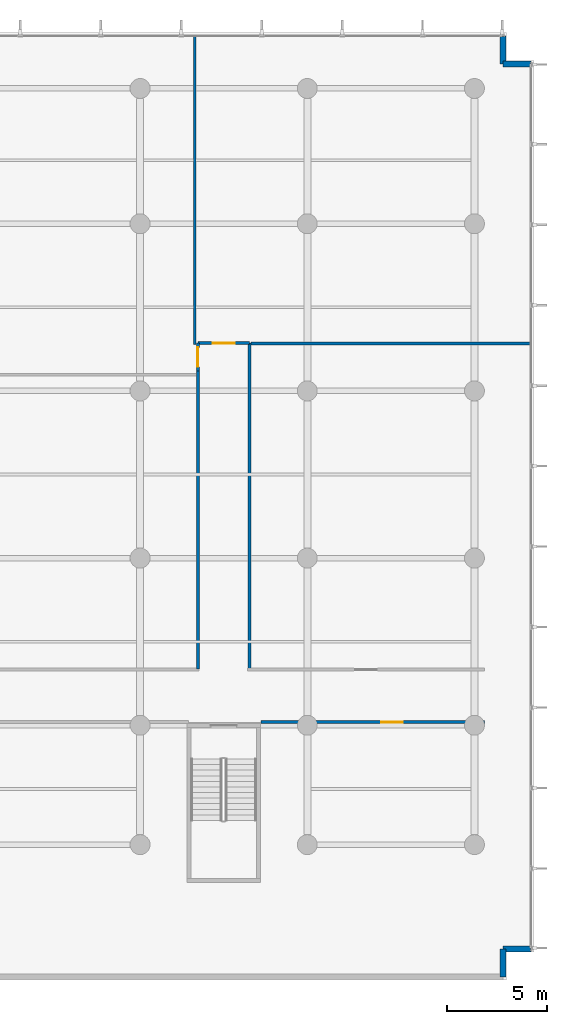
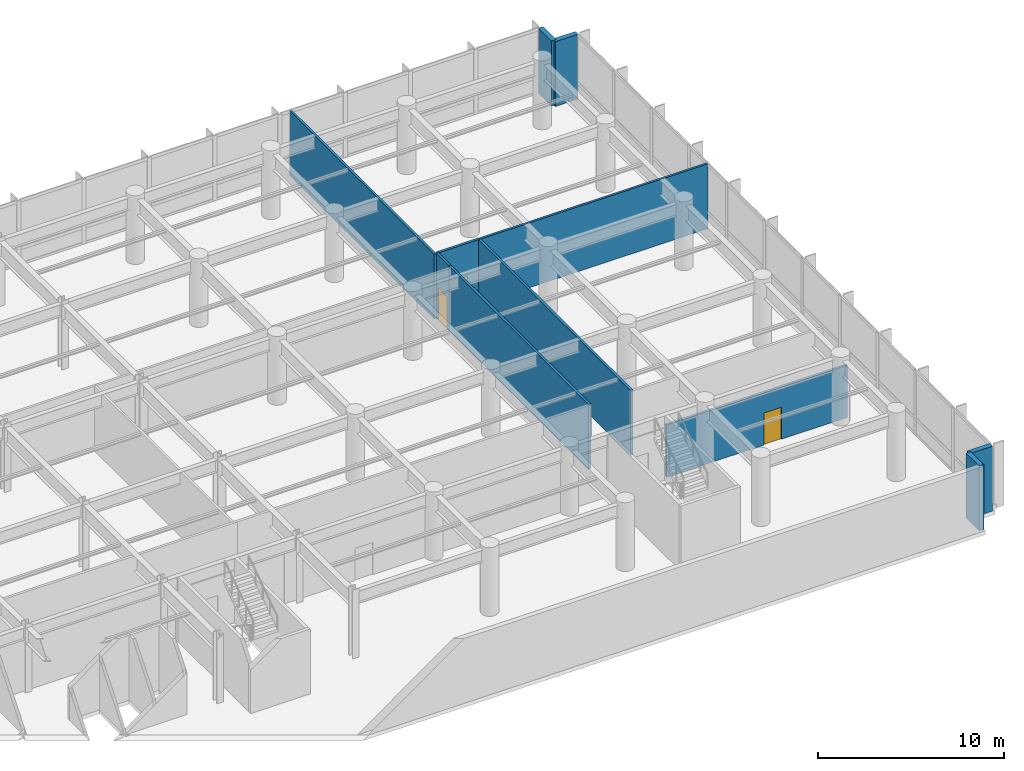
# One storey, part 18 of 26: 11 walls, 3 doors, 3 openings.
"""IFC4 building model written with IfcOpenShell, lengths in metres."""

import ifcopenshell
import ifcopenshell.guid

model = None  # the IFC model being written
_history = None  # IfcOwnerHistory: only IFC2X3 demands one
_inside = {}  # id of a spatial element -> (the spatial element, [elements in it])
_under = {}  # id of a project, library or spatial element -> (it, [spatial elements below it])
_declared = {}  # id of a project -> (the project, [libraries it declares])
_typed = {}  # id of a type object -> (the type object, [elements of that type])
_made_of = {}  # id of a material, layer set ... -> (it, [elements and type objects made of it])


def new_model(schema):
    """Start an empty IFC model of exactly this schema.

    Asked for "IFC4X3", IfcOpenShell would pick the latest addendum, in which some entities
    have other attributes; the version numbers below select the first issue.
    IFC2X3 requires an IfcOwnerHistory on every rooted entity: one is made here for all.
    """
    global model, _history
    if schema == "IFC4X3":
        model = ifcopenshell.file(schema_version=(4, 3, 0, 0))
    else:
        model = ifcopenshell.file(schema=schema)
    _inside.clear()
    _under.clear()
    _declared.clear()
    _typed.clear()
    _made_of.clear()
    _history = None
    if model.schema == "IFC2X3":
        org = make("IfcOrganization", Name="unknown")
        user = make(
            "IfcPersonAndOrganization",
            ThePerson=make("IfcPerson", FamilyName="unknown"),
            TheOrganization=org,
        )
        app = make(
            "IfcApplication",
            ApplicationDeveloper=org,
            Version="unknown",
            ApplicationFullName="unknown",
            ApplicationIdentifier="unknown",
        )
        _history = make(
            "IfcOwnerHistory",
            OwningUser=user,
            OwningApplication=app,
            ChangeAction="ADDED",
            CreationDate=0,
        )
    return model


def make(cls, **values):
    """One entity of the class cls with the attributes given. An attribute that is None is left unset."""
    return model.create_entity(
        cls, **{name: value for name, value in values.items() if value is not None}
    )


def rooted(cls, **values):
    """An entity with a GlobalId (a new one), such as an element, a storey or a relation."""
    return make(cls, GlobalId=ifcopenshell.guid.new(), OwnerHistory=_history, **values)


def si_unit(unit_type, name, prefix=None):
    """IfcSIUnit, for example si_unit("LENGTHUNIT", "METRE", prefix="MILLI")."""
    return make("IfcSIUnit", UnitType=unit_type, Prefix=prefix, Name=name)


def assignment(units):
    """IfcUnitAssignment: the units of a project."""
    return None if units is None else make("IfcUnitAssignment", Units=units)


def point(xyz):
    """IfcCartesianPoint."""
    return None if xyz is None else make("IfcCartesianPoint", Coordinates=xyz)


def direction(xyz):
    """IfcDirection."""
    return None if xyz is None else make("IfcDirection", DirectionRatios=xyz)


def frame(location, z_axis=None, x_axis=None):
    """IfcAxis2Placement3D, a coordinate frame: its origin and axes. An axis left out is left unset."""
    return make(
        "IfcAxis2Placement3D",
        Location=point(location),
        Axis=direction(z_axis),
        RefDirection=direction(x_axis),
    )


def frame_2d(location, x_axis=None):
    """IfcAxis2Placement2D, a coordinate frame in the plane: its origin and x axis."""
    return make(
        "IfcAxis2Placement2D", Location=point(location), RefDirection=direction(x_axis)
    )


def origin():
    """The frame at (0, 0, 0) with its axes left unset."""
    return frame((0.0, 0.0, 0.0))


def place(relative_to, where):
    """IfcLocalPlacement: puts the frame where relative to a parent placement (None: the world)."""
    return make(
        "IfcLocalPlacement", PlacementRelTo=relative_to, RelativePlacement=where
    )


def context(
    kind, dimensions, precision=None, world=None, true_north=None, identifier=None
):
    """IfcGeometricRepresentationContext, for example the 3D "Model" context."""
    return make(
        "IfcGeometricRepresentationContext",
        ContextIdentifier=identifier,
        ContextType=kind,
        CoordinateSpaceDimension=dimensions,
        Precision=precision,
        WorldCoordinateSystem=world,
        TrueNorth=true_north,
    )


def subcontext(parent, identifier, kind, view, scale=None):
    """IfcGeometricRepresentationSubContext, for example "Body" below "Model"."""
    return make(
        "IfcGeometricRepresentationSubContext",
        ContextIdentifier=identifier,
        ContextType=kind,
        ParentContext=parent,
        TargetScale=scale,
        TargetView=view,
    )


def project(units=None, contexts=None):
    """IfcProject with its units and contexts."""
    return rooted(
        "IfcProject",
        Name="project",
        RepresentationContexts=contexts,
        UnitsInContext=assignment(units),
    )


def spatial(cls, under=None, at=None, **own):
    """A site, building, storey or space (cls), placed at a placement, below another one or the project."""
    s = rooted(cls, ObjectPlacement=at, **own)
    if under is not None:
        _under.setdefault(under.id(), (under, []))[1].append(s)
    return s


def profile(cls, at=None, kind="AREA", **sizes):
    """A parametric profile (cls). Its sizes go by their IFC names, for example OverallWidth=200.0."""
    return make(cls, ProfileType=kind, Position=at, **sizes)


def rectangle(**sizes):
    """IfcRectangleProfileDef."""
    return profile("IfcRectangleProfileDef", **sizes)


def extrude(swept, where, along, depth):
    """IfcExtrudedAreaSolid: the profile swept, set in the frame where, extruded along a direction by depth."""
    return make(
        "IfcExtrudedAreaSolid",
        SweptArea=swept,
        Position=where,
        ExtrudedDirection=direction(along),
        Depth=depth,
    )


def shape(context_of_items, identifier, shape_type, items):
    """IfcShapeRepresentation: the items that make up one representation, for example the "Body"."""
    return make(
        "IfcShapeRepresentation",
        ContextOfItems=context_of_items,
        RepresentationIdentifier=identifier,
        RepresentationType=shape_type,
        Items=items,
    )


def material(Name=None, Category=None):
    """IfcMaterial."""
    return make("IfcMaterial", Name=Name, Category=Category)


def layer(
    of_material, thickness, ventilated=None, Name=None, Category=None, Priority=None
):
    """IfcMaterialLayer: one layer of a wall or slab, of a material (None: an air gap)."""
    return make(
        "IfcMaterialLayer",
        Material=of_material,
        LayerThickness=thickness,
        IsVentilated=ventilated,
        Name=Name,
        Category=Category,
        Priority=Priority,
    )


def layer_set(layers, Name=None):
    """IfcMaterialLayerSet."""
    return make("IfcMaterialLayerSet", MaterialLayers=layers, LayerSetName=Name)


def made_of(thing, what):
    """Note that an element or type object is made of a material, layer set ...; save() writes the relation."""
    if what is not None:
        _made_of.setdefault(what.id(), (what, []))[1].append(thing)
    return thing


def type_object(cls, material=None, **own):
    """A type object (cls), such as IfcWallType, which elements share."""
    return made_of(rooted(cls, **own), material)


def element(
    cls,
    number,
    at=None,
    inside=None,
    cuts=None,
    type_object=None,
    material=None,
    context=None,
    identifier="Body",
    shape_type=None,
    held_by="IfcProductDefinitionShape",
    body=None,
    shapes=None,
    **own,
):
    """One element of the class cls, such as IfcWall. Its Tag is "e" and its number.

    at: its placement. inside: the storey or other place that contains it. cuts: it is an
    opening in that element (IfcRelVoidsElement). A single representation is given by context,
    identifier, shape_type and body (its items); several are given by shapes. held_by: the class
    of the entity that holds the representations. save() writes the other relations.
    """
    e = rooted(cls, Tag="e%d" % number, ObjectPlacement=at, **own)
    if body is not None:
        shapes = [shape(context, identifier, shape_type, body)]
    if shapes is not None:
        e.Representation = make(held_by, Representations=shapes)
    if inside is not None:
        _inside.setdefault(inside.id(), (inside, []))[1].append(e)
    if cuts is not None:
        rooted(
            "IfcRelVoidsElement", RelatingBuildingElement=cuts, RelatedOpeningElement=e
        )
    if type_object is not None:
        _typed.setdefault(type_object.id(), (type_object, []))[1].append(e)
    return made_of(e, material)


def fill(opening, filler):
    """IfcRelFillsElement: the door or window that sits in an opening."""
    return rooted(
        "IfcRelFillsElement",
        RelatingOpeningElement=opening,
        RelatedBuildingElement=filler,
    )


def aggregate(whole, parts):
    """IfcRelAggregates: a whole, such as a stair, and the parts it consists of."""
    return rooted("IfcRelAggregates", RelatingObject=whole, RelatedObjects=parts)


def save(model, path):
    """Write the relations noted so far, then the file.

    IfcRelAggregates (storeys below a building ...), IfcRelContainedInSpatialStructure (elements
    in a storey), IfcRelDefinesByType, IfcRelAssociatesMaterial and IfcRelDeclares: one each for
    every whole, place, type object, material and project.
    """
    for whole, parts in _under.values():
        aggregate(whole, parts)
    for where, things in _inside.values():
        rooted(
            "IfcRelContainedInSpatialStructure",
            RelatedElements=things,
            RelatingStructure=where,
        )
    for kind, things in _typed.values():
        rooted("IfcRelDefinesByType", RelatedObjects=things, RelatingType=kind)
    for what, things in _made_of.values():
        rooted("IfcRelAssociatesMaterial", RelatedObjects=things, RelatingMaterial=what)
    for by, libraries in _declared.values():
        rooted("IfcRelDeclares", RelatingContext=by, RelatedDefinitions=libraries)
    model.write(path)


model = new_model("IFC4")

# Units and contexts
model_context = context("Model", 3, precision=1e-05, world=origin(), true_north=direction((0.0, 1.0)))
body_context = subcontext(model_context, "Body", "Model", "MODEL_VIEW")
ifc_project = project(units=[si_unit("LENGTHUNIT", "METRE"), si_unit("AREAUNIT", "SQUARE_METRE"), si_unit("VOLUMEUNIT", "CUBIC_METRE"), si_unit("PLANEANGLEUNIT", "RADIAN"), si_unit("MASSUNIT", "GRAM", prefix="KILO")], contexts=[model_context])

# Site, building, storey
site_placement = place(None, origin())
site = spatial("IfcSite", under=ifc_project, at=site_placement, CompositionType="ELEMENT")
building_placement = place(site_placement, origin())
building = spatial("IfcBuilding", under=site, at=building_placement, Name="Varnakote Quay Hospital", CompositionType="ELEMENT")
storey_placement = place(building_placement, frame((0.0, 0.0, 13.5)))
storey = spatial("IfcBuildingStorey", under=building, at=storey_placement, Name="L03", CompositionType="ELEMENT", Elevation=13.5)

# Walls
ifc_material_1 = material(Name="Precast concrete N50 (f'c 50 MPa)", Category="concrete")
ifc_layer_1 = layer(ifc_material_1, 0.300048828125)
ifc_layer_set_1 = layer_set([ifc_layer_1], Name="Precast concrete N50 (f'c 50 MPa)")
wall_type_1 = type_object("IfcWallType", Name="WL-EXT-BRICK-300", PredefinedType="STANDARD", material=ifc_layer_set_1)
wall_1_placement = place(storey_placement, frame((85.43994140625, -0.639892578125, 0.0), z_axis=(0.0, 0.0, 1.0), x_axis=(0.0, 1.0, 0.0)))
element("IfcWall", 1, at=wall_1_placement, inside=storey, type_object=wall_type_1, Name="L03 Brick-Faced Precast Exterior Wall", PredefinedType="STANDARD", context=body_context, shape_type="SweptSolid", body=[
    extrude(rectangle(XDim=1.39990234375, YDim=0.300048828125, at=frame_2d((0.699951171875, 0.0))), origin(), (0.0, 0.0, 1.0), 4.25),
])
for number, where, z_axis, x_axis, name in (
    (2, (85.43994140625, 0.760009765625, 0.0), (0.0, 0.0, 1.0), (1.0, 0.0, 0.0), "L03 Brick-Faced Precast Exterior Wall"),
    (3, (86.840087890625, 45.239990234375, 0.0), (0.0, 0.0, 1.0), (-1.0, 0.0, 0.0), "L03 Brick-Faced Precast Exterior Wall"),
):
    element("IfcWall", number, at=place(storey_placement, frame(where, z_axis=z_axis, x_axis=x_axis)), inside=storey, type_object=wall_type_1, Name=name, PredefinedType="STANDARD", context=body_context, shape_type="SweptSolid", body=[
        extrude(rectangle(XDim=1.400146484375, YDim=0.300048828125, at=frame_2d((0.7001953125, 0.0))), origin(), (0.0, 0.0, 1.0), 4.25),
    ])
wall_2_placement = place(storey_placement, frame((85.43994140625, 45.239990234375, 0.0), z_axis=(0.0, 0.0, 1.0), x_axis=(0.0, 1.0, 0.0)))
element("IfcWall", 4, at=wall_2_placement, inside=storey, type_object=wall_type_1, Name="L03 Brick-Faced Precast Exterior Wall", PredefinedType="STANDARD", context=body_context, shape_type="SweptSolid", body=[
    extrude(rectangle(XDim=1.39990234375, YDim=0.300048828125, at=frame_2d((0.699951171875, 0.0))), origin(), (0.0, 0.0, 1.0), 4.25),
])
ifc_material_2 = material(Name="Smoke-proof clinical partition", Category="gypsum")
ifc_layer_2 = layer(ifc_material_2, 0.135009765625)
ifc_layer_set_2 = layer_set([ifc_layer_2], Name="Smoke-proof clinical partition")
wall_type_2 = type_object("IfcWallType", Name="WL-SMOKE-135", PredefinedType="PARTITIONING", material=ifc_layer_set_2)
wall_3_placement = place(storey_placement, frame((86.840087890625, 31.179931640625, 0.0), z_axis=(0.0, 0.0, 1.0), x_axis=(-1.0, 0.0, 0.0)))
element("IfcWall", 5, at=wall_3_placement, inside=storey, type_object=wall_type_2, Name="L03 Clinical Interior Partition", PredefinedType="PARTITIONING", context=body_context, shape_type="SweptSolid", body=[
    extrude(rectangle(XDim=14.0751953125, YDim=0.135009765625, at=frame_2d((7.03759765625, 0.0))), origin(), (0.0, 0.0, 1.0), 4.25),
])
wall_4_placement = place(storey_placement, frame((69.949951171875, 31.1328125, 0.0), z_axis=(0.0, 0.0, 1.0), x_axis=(0.0, 1.0, 0.0)))
element("IfcWall", 6, at=wall_4_placement, inside=storey, type_object=wall_type_2, Name="L03 Clinical Interior Partition", PredefinedType="PARTITIONING", context=body_context, shape_type="SweptSolid", body=[
    extrude(rectangle(XDim=15.507080078125, YDim=0.135009765625, at=frame_2d((7.75341796875, 0.0))), origin(), (0.0, 0.0, 1.0), 4.25),
])

# Wall, opening, door
ifc_material_3 = material(Name="Fire-rated clinical gypsum partition", Category="gypsum")
ifc_layer_3 = layer(ifc_material_3, 0.14990234375)
ifc_layer_set_3 = layer_set([ifc_layer_3], Name="Fire-rated clinical gypsum partition")
wall_type_3 = type_object("IfcWallType", Name="WL-WARD-150", PredefinedType="PARTITIONING", material=ifc_layer_set_3)
wall_5_placement = place(storey_placement, frame((73.271484375, 12.159912109375, 0.0), z_axis=(0.0, 0.0, 1.0), x_axis=(1.0, 0.0, 0.0)))
wall_5 = element("IfcWall", 7, at=wall_5_placement, inside=storey, type_object=wall_type_3, Name="L03 Clinical Interior Partition", PredefinedType="PARTITIONING", context=body_context, shape_type="SweptSolid", body=[
    extrude(rectangle(XDim=11.228515625, YDim=0.14990234375, at=frame_2d((5.6142578125, 0.0))), origin(), (0.0, 0.0, 1.0), 3.425048828125),
])
opening_1_placement = place(wall_5_placement, frame((6.037109375, 0.0, 0.0)))
opening_1 = element("IfcOpeningElement", 8, at=opening_1_placement, cuts=wall_5, Name="Opening D-L03-EGEN", PredefinedType="OPENING", context=body_context, shape_type="SweptSolid", body=[
    extrude(rectangle(XDim=1.10009765625, YDim=2.10009765625, at=frame_2d((0.550048828125, 1.050048828125))), frame((0.0, 0.0849609375, 0.0), z_axis=(0.0, -1.0, 0.0), x_axis=(1.0, 0.0, 0.0)), (0.0, 0.0, 1.0), 0.169921875),
])
ifc_material_4 = material(Name="Acoustic timber clinical consult door", Category="wood")
door_type_1 = type_object("IfcDoorType", Name="DR-CLIN-FD30S-1100x2100", OperationType="NOTDEFINED", PredefinedType="DOOR", material=ifc_material_4)
door_1_placement = place(opening_1_placement, origin())
door_1 = element("IfcDoor", 9, at=door_1_placement, inside=storey, type_object=door_type_1, Name="L03 Oncology Apheresis & Cellular Therapy Treatment Suite Door", OperationType="SINGLE_SWING_LEFT", OverallHeight=2.10009765625, OverallWidth=1.10009765625, PredefinedType="DOOR", context=body_context, shape_type="SweptSolid", body=[
    extrude(rectangle(XDim=1.10009765625, YDim=2.10009765625, at=frame_2d((0.550048828125, 1.050048828125))), frame((0.0, 0.02490234375, 0.0), z_axis=(0.0, -1.0, 0.0), x_axis=(1.0, 0.0, 0.0)), (0.0, 0.0, 1.0), 0.050048828125),
])
fill(opening_1, door_1)

# Walls
wall_6_placement = place(storey_placement, frame((70.10009765625, 29.80712890625, 0.0), z_axis=(0.0, 0.0, 1.0), x_axis=(0.0, -1.0, 0.0)))
element("IfcWall", 10, at=wall_6_placement, inside=storey, type_object=wall_type_3, Name="L03 Clinical Interior Partition", PredefinedType="PARTITIONING", context=body_context, shape_type="SweptSolid", body=[
    extrude(rectangle(XDim=14.987060546875, YDim=0.14990234375, at=frame_2d((7.49365234375, 0.0))), origin(), (0.0, 0.0, 1.0), 4.25),
])
wall_7_placement = place(storey_placement, frame((72.699951171875, 14.820068359375, 0.0), z_axis=(0.0, 0.0, 1.0), x_axis=(0.0, 1.0, 0.0)))
element("IfcWall", 11, at=wall_7_placement, inside=storey, type_object=wall_type_3, Name="L03 Clinical Interior Partition", PredefinedType="PARTITIONING", context=body_context, shape_type="SweptSolid", body=[
    extrude(rectangle(XDim=16.3798828125, YDim=0.14990234375, at=frame_2d((8.18994140625, 0.0))), origin(), (0.0, 0.0, 1.0), 4.25),
])

# Wall, opening, door
wall_8_placement = place(storey_placement, frame((70.10009765625, 31.199951171875, 0.0), z_axis=(0.0, 0.0, 1.0), x_axis=(0.0, -1.0, 0.0)))
wall_8 = element("IfcWall", 12, at=wall_8_placement, inside=storey, type_object=wall_type_3, Name="L03 Clinical Interior Partition", PredefinedType="PARTITIONING", context=body_context, shape_type="SweptSolid", body=[
    extrude(rectangle(XDim=1.390869140625, YDim=0.14990234375, at=frame_2d((0.6953125, 0.0))), origin(), (0.0, 0.0, 1.0), 4.25),
])
opening_2_placement = place(wall_8_placement, frame((0.205322265625, 0.0, 0.0)))
opening_2 = element("IfcOpeningElement", 13, at=opening_2_placement, cuts=wall_8, Name="Opening D-L03-SPEC", PredefinedType="OPENING", context=body_context, shape_type="SweptSolid", body=[
    extrude(rectangle(XDim=0.97998046875, YDim=2.10009765625, at=frame_2d((0.489990234375, 1.050048828125))), frame((0.0, 0.0849609375, 0.0), z_axis=(0.0, -1.0, 0.0), x_axis=(1.0, 0.0, 0.0)), (0.0, 0.0, 1.0), 0.169921875),
])
ifc_material_5 = material(Name="Accessible sanitary compartment door")
door_type_2 = type_object("IfcDoorType", Name="DR-WC-980x2100", OperationType="NOTDEFINED", PredefinedType="DOOR", material=ifc_material_5)
door_2_placement = place(opening_2_placement, origin())
door_2 = element("IfcDoor", 14, at=door_2_placement, inside=storey, type_object=door_type_2, Name="L03 Blood Bank & Specimen Processing Office Door", OperationType="SINGLE_SWING_RIGHT", OverallHeight=2.10009765625, OverallWidth=0.97998046875, PredefinedType="DOOR", context=body_context, shape_type="SweptSolid", body=[
    extrude(rectangle(XDim=0.97998046875, YDim=2.10009765625, at=frame_2d((0.489990234375, 1.050048828125))), frame((0.0, 0.02490234375, 0.0), z_axis=(0.0, -1.0, 0.0), x_axis=(1.0, 0.0, 0.0)), (0.0, 0.0, 1.0), 0.050048828125),
])
fill(opening_2, door_2)

wall_9_placement = place(storey_placement, frame((72.699951171875, 31.199951171875, 0.0), z_axis=(0.0, 0.0, 1.0), x_axis=(-1.0, 0.0, 0.0)))
wall_9 = element("IfcWall", 15, at=wall_9_placement, inside=storey, type_object=wall_type_3, Name="L03 Clinical Interior Partition", PredefinedType="PARTITIONING", context=body_context, shape_type="SweptSolid", body=[
    extrude(rectangle(XDim=2.599853515625, YDim=0.14990234375, at=frame_2d((1.2998046875, 0.0))), origin(), (0.0, 0.0, 1.0), 4.25),
])
opening_3_placement = place(wall_9_placement, frame((0.75, 0.0, 0.0)))
opening_3 = element("IfcOpeningElement", 16, at=opening_3_placement, cuts=wall_9, Name="Opening D-L03-ECYT", PredefinedType="OPENING", context=body_context, shape_type="SweptSolid", body=[
    extrude(rectangle(XDim=1.10009765625, YDim=2.10009765625, at=frame_2d((0.550048828125, 1.050048828125))), frame((0.0, 0.0849609375, 0.0), z_axis=(0.0, -1.0, 0.0), x_axis=(1.0, 0.0, 0.0)), (0.0, 0.0, 1.0), 0.169921875),
])
door_3_placement = place(opening_3_placement, origin())
door_3 = element("IfcDoor", 17, at=door_3_placement, inside=storey, type_object=door_type_1, Name="L03 Clinical Cytogenetics & Pathology Laboratory Door", OperationType="SINGLE_SWING_LEFT", OverallHeight=2.10009765625, OverallWidth=1.10009765625, PredefinedType="DOOR", context=body_context, shape_type="SweptSolid", body=[
    extrude(rectangle(XDim=1.10009765625, YDim=2.10009765625, at=frame_2d((0.550048828125, 1.050048828125))), frame((0.0, 0.02490234375, 0.0), z_axis=(0.0, -1.0, 0.0), x_axis=(1.0, 0.0, 0.0)), (0.0, 0.0, 1.0), 0.050048828125),
])
fill(opening_3, door_3)

save(model, "model.ifc")
